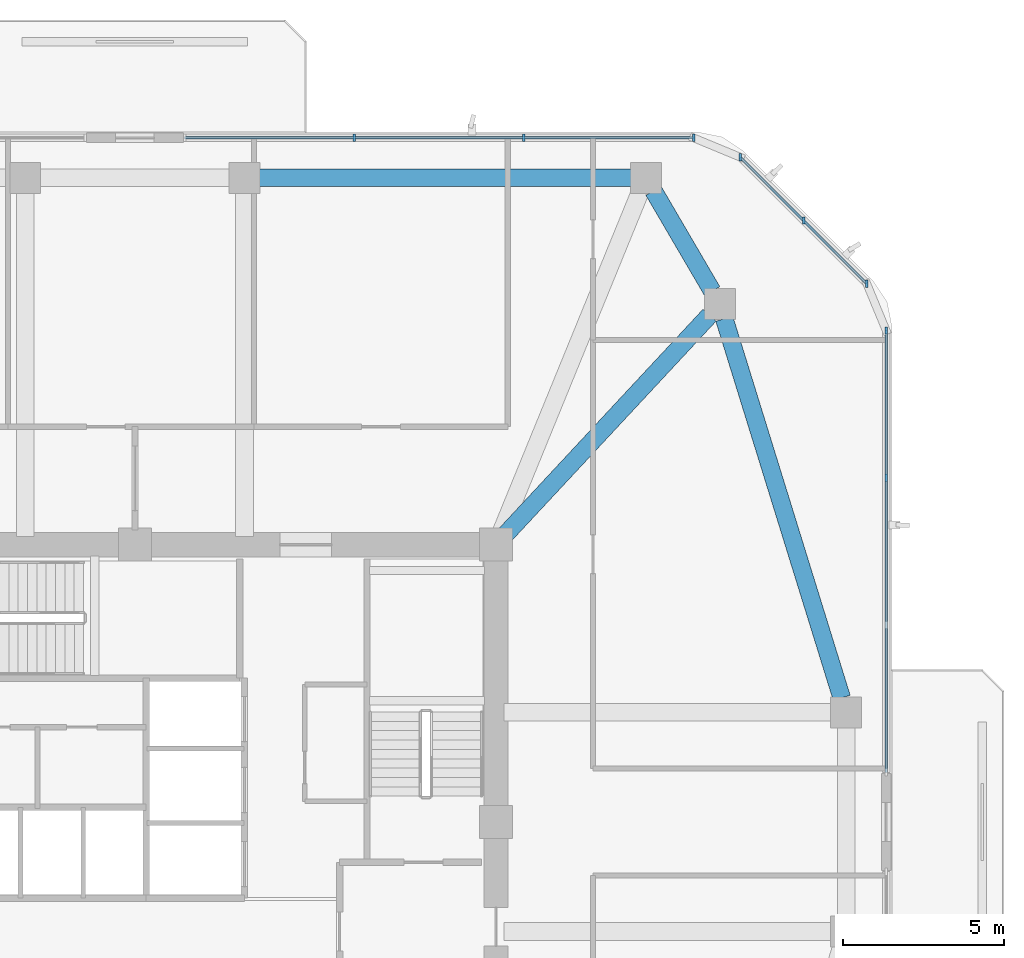
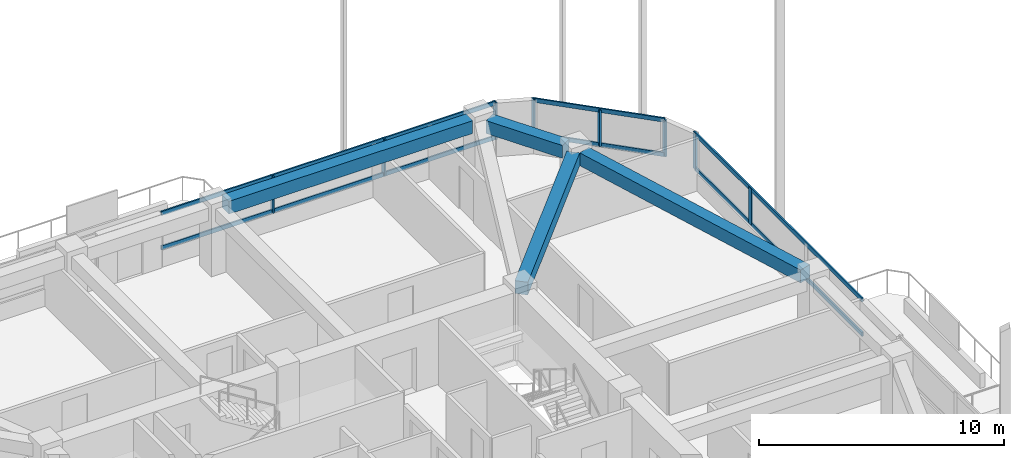
# One storey, part 6 of 14: 14 members, 4 beams, 3 elements without a shape of their own.
"""IFC4 building model written with IfcOpenShell, lengths in metres."""

from ifc_helpers import new_model, si_unit, derived_unit, direction, frame, origin, origin_2d, place, context, subcontext, project, spatial, rectangle, extrude, material, material_profile, profile_set, type_object, element, aggregate, save


model = new_model("IFC4")

# Units and contexts
model_context = context("Model", 3, precision=1e-05, world=origin(), true_north=direction((0.0, 1.0)))
body_context = subcontext(model_context, "Body", "Model", "MODEL_VIEW")
ifc_project = project(units=[si_unit("LENGTHUNIT", "METRE"), si_unit("AREAUNIT", "SQUARE_METRE"), si_unit("VOLUMEUNIT", "CUBIC_METRE"), si_unit("PLANEANGLEUNIT", "RADIAN"), si_unit("MASSUNIT", "GRAM", prefix="KILO"), derived_unit("THERMALTRANSMITTANCEUNIT", [(si_unit("POWERUNIT", "WATT"), 1), (si_unit("LENGTHUNIT", "METRE"), -2), (si_unit("THERMODYNAMICTEMPERATUREUNIT", "KELVIN"), -1)])], contexts=[model_context])

# Site, building, storey
site_placement = place(None, origin())
site = spatial("IfcSite", under=ifc_project, at=site_placement, CompositionType="ELEMENT")
building_placement = place(site_placement, origin())
building = spatial("IfcBuilding", under=site, at=building_placement, Name="Koralith Skygarden Medical Center", CompositionType="ELEMENT")
storey_placement = place(building_placement, frame((0.0, 0.0, 160.02001953125)))
storey = spatial("IfcBuildingStorey", under=building, at=storey_placement, Name="L41", CompositionType="ELEMENT", Elevation=160.02001953125)

# Curtain wall, members
ifc_material_1 = material(Name="Clear Laminated Glass", Category="glass")
curtain_wall_type = type_object("IfcCurtainWallType", Name="CW-4 Zone 3 Waist High-Wind Curtain Wall", PredefinedType="NOTDEFINED", material=ifc_material_1)
curtain_wall_1_placement = place(storey_placement, origin())
curtain_wall_1 = element("IfcCurtainWall", 1, at=curtain_wall_1_placement, inside=storey, type_object=curtain_wall_type, Name="Curtain Wall CW-L41-E-R", PredefinedType="NOTDEFINED")
ifc_material_2 = material(Name="Aluminium 6063-T6", Category="aluminium")
ifc_material_profile_1 = material_profile(ifc_material_2, rectangle(XDim=0.076904296875, YDim=0.22998046875, at=origin_2d()), Name="MUL77X230")
ifc_profile_set_1 = profile_set([ifc_material_profile_1], Name="Aluminium 6063-T6")
member_type_1 = type_object("IfcMemberType", Name="CW-4 Extruded Mullion 77x230", PredefinedType="MULLION", material=ifc_profile_set_1)
member_1_placement = place(storey_placement, frame((60.303955078125, 36.576904296875, 0.85009765625), z_axis=(0.0, 0.0, 1.0), x_axis=(1.0, 0.0, 0.0)))
member_1 = element("IfcMember", 2, at=member_1_placement, type_object=member_type_1, Name="CW-L41-E-R Mullion 3", PredefinedType="MULLION", context=body_context, shape_type="SweptSolid", body=[
    extrude(rectangle(XDim=0.076904296875, YDim=0.22998046875, at=origin_2d()), origin(), (0.0, 0.0, 1.0), 1.81982421875),
])
member_2_placement = place(storey_placement, frame((60.303955078125, 41.14501953125, 0.85009765625), z_axis=(0.0, 0.0, 1.0), x_axis=(1.0, 0.0, 0.0)))
member_2 = element("IfcMember", 3, at=member_2_placement, type_object=member_type_1, Name="CW-L41-E-R Mullion 4", PredefinedType="MULLION", context=body_context, shape_type="SweptSolid", body=[
    extrude(rectangle(XDim=0.076904296875, YDim=0.22998046875, at=origin_2d()), origin(), (0.0, 0.0, 1.0), 1.81982421875),
])

curtain_wall_2_placement = place(storey_placement, origin())
curtain_wall_2 = element("IfcCurtainWall", 4, at=curtain_wall_2_placement, inside=storey, type_object=curtain_wall_type, Name="Curtain Wall CW-L41-NE", PredefinedType="NOTDEFINED")
member_3_placement = place(storey_placement, frame((59.702880859375, 42.595947265625, 0.85009765625), z_axis=(0.0, 0.0, 1.0), x_axis=(1.0, 0.0, 0.0)))
member_3 = element("IfcMember", 5, at=member_3_placement, type_object=member_type_1, Name="CW-L41-NE Mullion 1", PredefinedType="MULLION", context=body_context, shape_type="SweptSolid", body=[
    extrude(rectangle(XDim=0.076904296875, YDim=0.22998046875, at=origin_2d()), origin(), (0.0, 0.0, 1.0), 1.81982421875),
])
member_4_placement = place(storey_placement, frame((57.741943359375, 44.556884765625, 0.85009765625), z_axis=(0.0, 0.0, 1.0), x_axis=(1.0, 0.0, 0.0)))
member_4 = element("IfcMember", 6, at=member_4_placement, type_object=member_type_1, Name="CW-L41-NE Mullion 2", PredefinedType="MULLION", context=body_context, shape_type="SweptSolid", body=[
    extrude(rectangle(XDim=0.076904296875, YDim=0.22998046875, at=origin_2d()), origin(), (0.0, 0.0, 1.0), 1.81982421875),
])
member_5_placement = place(storey_placement, frame((55.780029296875, 46.51904296875, 0.85009765625), z_axis=(0.0, 0.0, 1.0), x_axis=(1.0, 0.0, 0.0)))
member_5 = element("IfcMember", 7, at=member_5_placement, type_object=member_type_1, Name="CW-L41-NE Mullion 3", PredefinedType="MULLION", context=body_context, shape_type="SweptSolid", body=[
    extrude(rectangle(XDim=0.076904296875, YDim=0.22998046875, at=origin_2d()), origin(), (0.0, 0.0, 1.0), 1.81982421875),
])

curtain_wall_3_placement = place(storey_placement, origin())
curtain_wall_3 = element("IfcCurtainWall", 8, at=curtain_wall_3_placement, inside=storey, type_object=curtain_wall_type, Name="Curtain Wall CW-L41-N-L", PredefinedType="NOTDEFINED")
member_6_placement = place(storey_placement, frame((54.3291015625, 47.1201171875, 0.85009765625), z_axis=(0.0, 0.0, 1.0), x_axis=(1.0, 0.0, 0.0)))
member_6 = element("IfcMember", 9, at=member_6_placement, type_object=member_type_1, Name="CW-L41-N-L Mullion 1", PredefinedType="MULLION", context=body_context, shape_type="SweptSolid", body=[
    extrude(rectangle(XDim=0.076904296875, YDim=0.22998046875, at=origin_2d()), origin(), (0.0, 0.0, 1.0), 1.81982421875),
])
member_7_placement = place(storey_placement, frame((49.06591796875, 47.1201171875, 0.85009765625), z_axis=(0.0, 0.0, 1.0), x_axis=(1.0, 0.0, 0.0)))
member_7 = element("IfcMember", 10, at=member_7_placement, type_object=member_type_1, Name="CW-L41-N-L Mullion 2", PredefinedType="MULLION", context=body_context, shape_type="SweptSolid", body=[
    extrude(rectangle(XDim=0.076904296875, YDim=0.22998046875, at=origin_2d()), origin(), (0.0, 0.0, 1.0), 1.81982421875),
])
member_8_placement = place(storey_placement, frame((43.803955078125, 47.1201171875, 0.85009765625), z_axis=(0.0, 0.0, 1.0), x_axis=(1.0, 0.0, 0.0)))
member_8 = element("IfcMember", 11, at=member_8_placement, type_object=member_type_1, Name="CW-L41-N-L Mullion 3", PredefinedType="MULLION", context=body_context, shape_type="SweptSolid", body=[
    extrude(rectangle(XDim=0.076904296875, YDim=0.22998046875, at=origin_2d()), origin(), (0.0, 0.0, 1.0), 1.81982421875),
])

# Member
ifc_material_profile_2 = material_profile(ifc_material_2, rectangle(XDim=0.072021484375, YDim=0.20703125, at=origin_2d()), Name="TRN72X207")
ifc_profile_set_2 = profile_set([ifc_material_profile_2], Name="Aluminium 6063-T6")
member_type_2 = type_object("IfcMemberType", Name="CW-4 Thermal Transom 72x207", PredefinedType="USERDEFINED", material=ifc_profile_set_2)
member_9_placement = place(storey_placement, frame((60.303955078125, 27.43994140625, 0.89990234375), z_axis=(0.0, 1.0, 0.0), x_axis=(-1.0, 0.0, 0.0)))
member_9 = element("IfcMember", 12, at=member_9_placement, type_object=member_type_2, Name="CW-L41-E-R Transom 1", ObjectType="TRANSOM", PredefinedType="USERDEFINED", context=body_context, shape_type="SweptSolid", body=[
    extrude(rectangle(XDim=0.072021484375, YDim=0.20703125, at=origin_2d()), origin(), (0.0, 0.0, 1.0), 13.705078125),
])

member_10_placement = place(storey_placement, frame((60.303955078125, 27.43994140625, 2.619873046875), z_axis=(0.0, 1.0, 0.0), x_axis=(-1.0, 0.0, 0.0)))
member_10 = element("IfcMember", 13, at=member_10_placement, type_object=member_type_2, Name="CW-L41-E-R Transom 2", ObjectType="TRANSOM", PredefinedType="USERDEFINED", context=body_context, shape_type="SweptSolid", body=[
    extrude(rectangle(XDim=0.072021484375, YDim=0.20703125, at=origin_2d()), origin(), (0.0, 0.0, 1.0), 13.705078125),
])

aggregate(curtain_wall_1, [member_1, member_2, member_9, member_10])

member_11_placement = place(storey_placement, frame((59.702880859375, 42.595947265625, 0.89990234375), z_axis=(-0.707084777957, 0.707128783731, 0.0), x_axis=(-0.707128783731, -0.707084777957, 0.0)))
member_11 = element("IfcMember", 14, at=member_11_placement, type_object=member_type_2, Name="CW-L41-NE Transom 1", ObjectType="TRANSOM", PredefinedType="USERDEFINED", context=body_context, shape_type="SweptSolid", body=[
    extrude(rectangle(XDim=0.072021484375, YDim=0.20703125, at=origin_2d()), origin(), (0.0, 0.0, 1.0), 5.5478515625),
])

member_12_placement = place(storey_placement, frame((59.702880859375, 42.595947265625, 2.619873046875), z_axis=(-0.707084777957, 0.707128783731, 0.0), x_axis=(-0.707128783731, -0.707084777957, 0.0)))
member_12 = element("IfcMember", 15, at=member_12_placement, type_object=member_type_2, Name="CW-L41-NE Transom 2", ObjectType="TRANSOM", PredefinedType="USERDEFINED", context=body_context, shape_type="SweptSolid", body=[
    extrude(rectangle(XDim=0.072021484375, YDim=0.20703125, at=origin_2d()), origin(), (0.0, 0.0, 1.0), 5.5478515625),
])

aggregate(curtain_wall_2, [member_3, member_4, member_5, member_11, member_12])

member_13_placement = place(storey_placement, frame((54.3291015625, 47.1201171875, 0.89990234375), z_axis=(-1.0, 0.0, 0.0), x_axis=(0.0, -1.0, 0.0)))
member_13 = element("IfcMember", 16, at=member_13_placement, type_object=member_type_2, Name="CW-L41-N-L Transom 1", ObjectType="TRANSOM", PredefinedType="USERDEFINED", context=body_context, shape_type="SweptSolid", body=[
    extrude(rectangle(XDim=0.072021484375, YDim=0.20703125, at=origin_2d()), origin(), (0.0, 0.0, 1.0), 15.7880859375),
])

member_14_placement = place(storey_placement, frame((54.3291015625, 47.1201171875, 2.619873046875), z_axis=(-1.0, 0.0, 0.0), x_axis=(0.0, -1.0, 0.0)))
member_14 = element("IfcMember", 17, at=member_14_placement, type_object=member_type_2, Name="CW-L41-N-L Transom 2", ObjectType="TRANSOM", PredefinedType="USERDEFINED", context=body_context, shape_type="SweptSolid", body=[
    extrude(rectangle(XDim=0.072021484375, YDim=0.20703125, at=origin_2d()), origin(), (0.0, 0.0, 1.0), 15.7880859375),
])

aggregate(curtain_wall_3, [member_6, member_7, member_8, member_13, member_14])

# Beams
ifc_material_3 = material(Name="Concrete C45/55", Category="concrete")
ifc_material_profile_3 = material_profile(ifc_material_3, rectangle(XDim=0.550048828125, YDim=0.639892578125, at=origin_2d()), Name="RCB550X640")
ifc_profile_set_3 = profile_set([ifc_material_profile_3], Name="Concrete C45/55")
beam_type_1 = type_object("IfcBeamType", Name="Radial Collector Beam RCB550X640", PredefinedType="BEAM", material=ifc_profile_set_3)
beam_1_placement = place(storey_placement, frame((48.3701171875, 34.68310546875, 3.0), z_axis=(0.681369011591, 0.731940072713, 0.0), x_axis=(-0.731940072713, 0.681369011591, 0.0)))
element("IfcBeam", 18, at=beam_1_placement, inside=storey, type_object=beam_type_1, Name="L41 Radial Collector Beam RB-10", PredefinedType="BEAM", context=body_context, shape_type="SweptSolid", body=[
    extrude(rectangle(XDim=0.550048828125, YDim=0.639892578125, at=origin_2d()), origin(), (0.0, 0.0, 1.0), 9.471923828125),
])
ifc_material_profile_4 = material_profile(ifc_material_3, rectangle(XDim=0.550048828125, YDim=0.639892578125, at=origin_2d()), Name="RCB550X640")
ifc_profile_set_4 = profile_set([ifc_material_profile_4], Name="Concrete C45/55")
beam_type_2 = type_object("IfcBeamType", Name="Zone 2-3 Spandrel Beam RCB550X640", PredefinedType="SPANDREL", material=ifc_profile_set_4)
beam_2_placement = place(storey_placement, frame((58.925048828125, 29.7490234375, 3.0), z_axis=(-0.295793585147, 0.955251880389, 0.0), x_axis=(-0.955251880389, -0.295793585147, 0.0)))
element("IfcBeam", 19, at=beam_2_placement, inside=storey, type_object=beam_type_2, Name="L41 Perimeter Spandrel Beam SP-09", PredefinedType="SPANDREL", context=body_context, shape_type="SweptSolid", body=[
    extrude(rectangle(XDim=0.550048828125, YDim=0.639892578125, at=origin_2d()), origin(), (0.0, 0.0, 1.0), 12.31298828125),
])
beam_3_placement = place(storey_placement, frame((54.906982421875, 42.365966796875, 3.0), z_axis=(-0.504861391295, 0.863200426077, 0.0), x_axis=(-0.863200426077, -0.504861391295, 0.0)))
element("IfcBeam", 20, at=beam_3_placement, inside=storey, type_object=beam_type_2, Name="L41 Perimeter Spandrel Beam SP-10", PredefinedType="SPANDREL", context=body_context, shape_type="SweptSolid", body=[
    extrude(rectangle(XDim=0.550048828125, YDim=0.639892578125, at=origin_2d()), origin(), (0.0, 0.0, 1.0), 3.600830078125),
])
beam_4_placement = place(storey_placement, frame((52.382080078125, 45.8798828125, 3.0), z_axis=(-1.0, 0.0, 0.0), x_axis=(0.0, -1.0, 0.0)))
element("IfcBeam", 21, at=beam_4_placement, inside=storey, type_object=beam_type_2, Name="L41 Perimeter Spandrel Beam SP-11", PredefinedType="SPANDREL", context=body_context, shape_type="SweptSolid", body=[
    extrude(rectangle(XDim=0.550048828125, YDim=0.639892578125, at=origin_2d()), origin(), (0.0, 0.0, 1.0), 11.511962890625),
])

save(model, "model.ifc")
